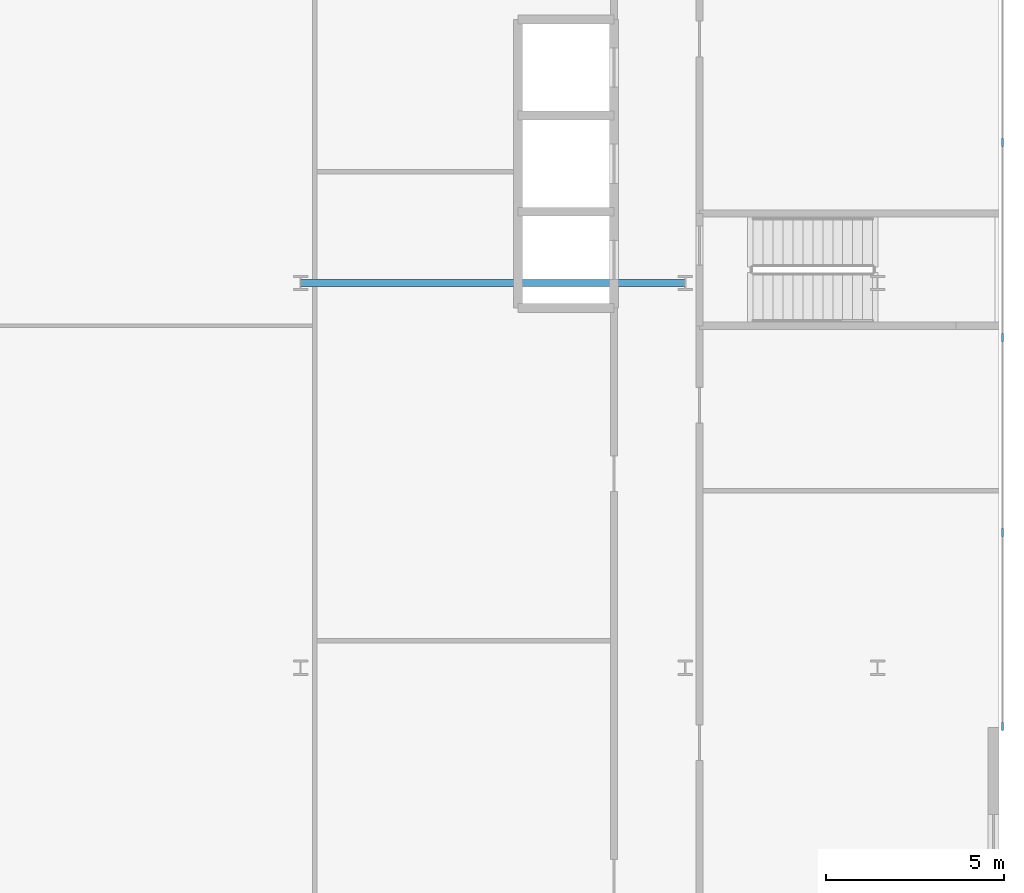
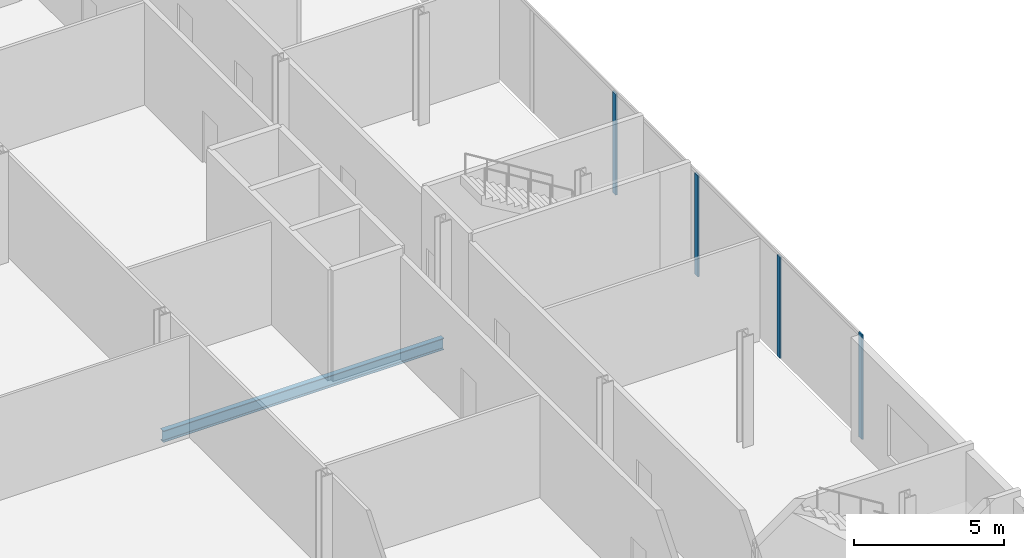
# One storey, part 14 of 47: 4 members, 1 beam, 1 element without a shape of its own.
"""IFC4 building model written with IfcOpenShell, lengths in metres."""

from ifc_helpers import new_model, si_unit, direction, frame, origin, origin_2d, place, context, subcontext, project, spatial, rectangle, i_section, extrude, material, layer, layer_set, material_profile, profile_set, type_object, element, aggregate, save


model = new_model("IFC4")

# Units and contexts
model_context = context("Model", 3, precision=1e-05, world=origin(), true_north=direction((0.0, 1.0)))
body_context = subcontext(model_context, "Body", "Model", "MODEL_VIEW")
ifc_project = project(units=[si_unit("LENGTHUNIT", "METRE"), si_unit("AREAUNIT", "SQUARE_METRE"), si_unit("VOLUMEUNIT", "CUBIC_METRE"), si_unit("PLANEANGLEUNIT", "RADIAN"), si_unit("MASSUNIT", "GRAM", prefix="KILO")], contexts=[model_context])

# Site, building, storey
site_placement = place(None, origin())
site = spatial("IfcSite", under=ifc_project, at=site_placement, CompositionType="ELEMENT")
building_placement = place(site_placement, origin())
building = spatial("IfcBuilding", under=site, at=building_placement, Name="Kheshtan School and Residences Tower", CompositionType="ELEMENT")
storey_placement = place(building_placement, frame((0.0, 0.0, 17.0)))
storey = spatial("IfcBuildingStorey", under=building, at=storey_placement, Name="L03", CompositionType="ELEMENT", Elevation=17.0)

# Beam
ifc_material_1 = material(Name="Steel ASTM A992 Grade 50", Category="steel")
ifc_material_profile_1 = material_profile(ifc_material_1, i_section(OverallWidth=0.194091796875, OverallDepth=0.468994140625, WebThickness=0.0126953125, FlangeThickness=0.0205078125, FilletRadius=0.01416015625, at=origin_2d()), Name="W460x106")
ifc_profile_set_1 = profile_set([ifc_material_profile_1], Name="Steel ASTM A992 Grade 50")
beam_type = type_object("IfcBeamType", Name="Beam PB2 W460x106 ASTM A992 Grade 50", PredefinedType="BEAM", material=ifc_profile_set_1)
beam_placement = place(storey_placement, frame((112.39990234375, 67.199951171875, -0.554443359375), z_axis=(1.0, 0.0, 0.0), x_axis=(0.0, 1.0, 0.0)))
element("IfcBeam", 1, at=beam_placement, inside=storey, type_object=beam_type, Name="Podium floor beam PB2", PredefinedType="BEAM", context=body_context, shape_type="SweptSolid", body=[
    extrude(i_section(OverallWidth=0.194091796875, OverallDepth=0.468994140625, WebThickness=0.0126953125, FlangeThickness=0.0205078125, FilletRadius=0.01416015625, at=origin_2d()), origin(), (0.0, 0.0, 1.0), 10.800048828125),
])

# Curtain wall, members
ifc_material_2 = material(Name="Clear low-e glass in thermally broken aluminium frame", Category="aluminium")
ifc_layer = layer(ifc_material_2, 0.22509765625)
ifc_layer_set = layer_set([ifc_layer], Name="Curtain wall CW-P")
curtain_wall_type = type_object("IfcCurtainWallType", Name="Curtain wall CW-P", PredefinedType="NOTDEFINED", material=ifc_layer_set)
curtain_wall_placement = place(storey_placement, origin())
curtain_wall = element("IfcCurtainWall", 2, at=curtain_wall_placement, inside=storey, type_object=curtain_wall_type, Name="Curtain wall CWP8a", PredefinedType="NOTDEFINED")
ifc_material_3 = material(Name="Thermally broken aluminium, dark bronze anodised", Category="aluminium")
ifc_material_profile_2 = material_profile(ifc_material_3, rectangle(XDim=0.06005859375, YDim=0.22509765625, at=origin_2d()), Name="CW-P mullion 60x225")
ifc_profile_set_2 = profile_set([ifc_material_profile_2], Name="Thermally broken aluminium, dark bronze anodised")
member_type = type_object("IfcMemberType", Name="CW-P mullion 60x225", PredefinedType="MULLION", material=ifc_profile_set_2)
member_1_placement = place(storey_placement, frame((132.10009765625, 71.146728515625, 0.0), z_axis=(0.0, 0.0, 1.0), x_axis=(1.0, 0.0, 0.0)))
member_1 = element("IfcMember", 3, at=member_1_placement, type_object=member_type, Name="CWP8a mullion 7", PredefinedType="MULLION", context=body_context, shape_type="SweptSolid", body=[
    extrude(rectangle(XDim=0.06005859375, YDim=0.22509765625, at=origin_2d()), origin(), (0.0, 0.0, 1.0), 4.110107421875),
])
member_2_placement = place(storey_placement, frame((132.10009765625, 65.671142578125, 0.0), z_axis=(0.0, 0.0, 1.0), x_axis=(1.0, 0.0, 0.0)))
member_2 = element("IfcMember", 4, at=member_2_placement, type_object=member_type, Name="CWP8a mullion 8", PredefinedType="MULLION", context=body_context, shape_type="SweptSolid", body=[
    extrude(rectangle(XDim=0.06005859375, YDim=0.22509765625, at=origin_2d()), origin(), (0.0, 0.0, 1.0), 4.110107421875),
])
member_3_placement = place(storey_placement, frame((132.10009765625, 60.195556640625, 0.0), z_axis=(0.0, 0.0, 1.0), x_axis=(1.0, 0.0, 0.0)))
member_3 = element("IfcMember", 5, at=member_3_placement, type_object=member_type, Name="CWP8a mullion 9", PredefinedType="MULLION", context=body_context, shape_type="SweptSolid", body=[
    extrude(rectangle(XDim=0.06005859375, YDim=0.22509765625, at=origin_2d()), origin(), (0.0, 0.0, 1.0), 4.110107421875),
])
member_4_placement = place(storey_placement, frame((132.10009765625, 54.75, 0.0), z_axis=(0.0, 0.0, 1.0), x_axis=(1.0, 0.0, 0.0)))
member_4 = element("IfcMember", 6, at=member_4_placement, type_object=member_type, Name="CWP8a mullion 10", PredefinedType="MULLION", context=body_context, shape_type="SweptSolid", body=[
    extrude(rectangle(XDim=0.06005859375, YDim=0.22509765625, at=origin_2d()), origin(), (0.0, 0.0, 1.0), 4.25),
])
aggregate(curtain_wall, [member_1, member_2, member_3, member_4])

save(model, "model.ifc")
